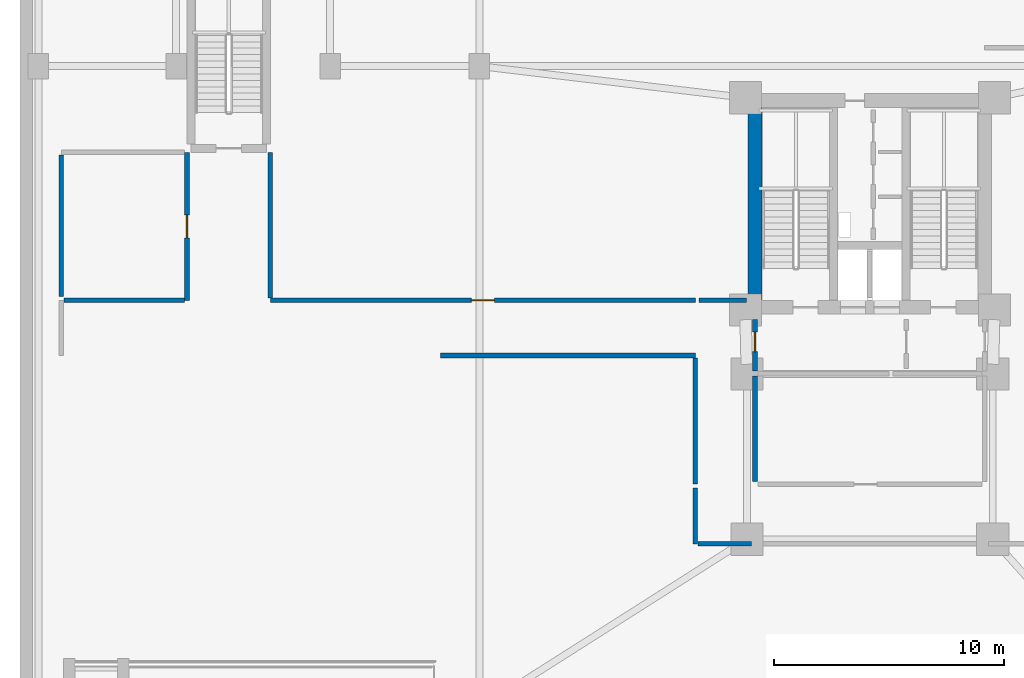
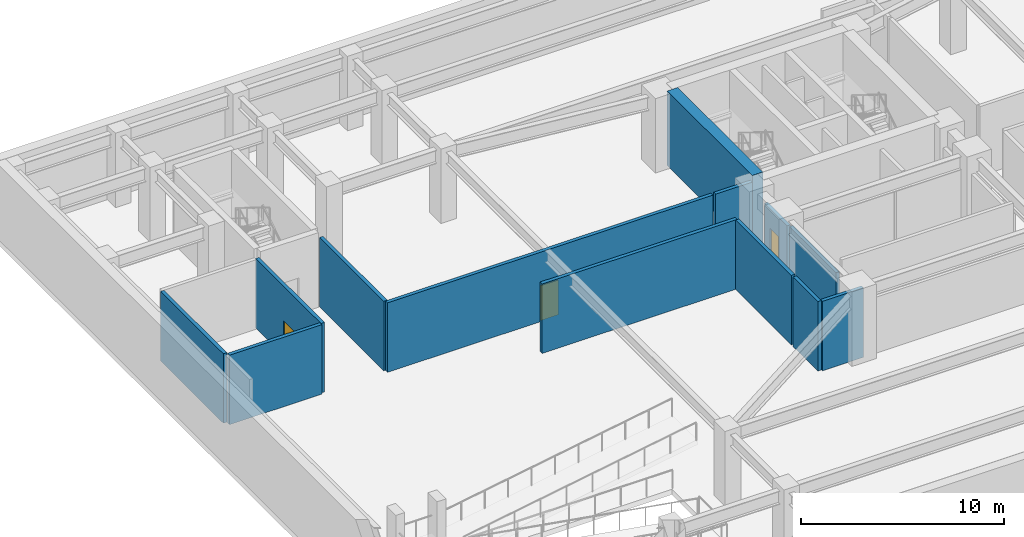
# One storey, part 3 of 8: 13 walls, 3 doors, 3 openings.
"""IFC4 building model written with IfcOpenShell, lengths in metres."""

from ifc_helpers import new_model, si_unit, direction, frame, frame_2d, origin, place, context, subcontext, project, spatial, rectangle, extrude, material, layer, layer_set, type_object, element, fill, save


model = new_model("IFC4")

# Units and contexts
model_context = context("Model", 3, precision=1e-05, world=origin(), true_north=direction((0.0, 1.0)))
body_context = subcontext(model_context, "Body", "Model", "MODEL_VIEW")
ifc_project = project(units=[si_unit("LENGTHUNIT", "METRE"), si_unit("AREAUNIT", "SQUARE_METRE"), si_unit("VOLUMEUNIT", "CUBIC_METRE"), si_unit("PLANEANGLEUNIT", "RADIAN"), si_unit("MASSUNIT", "GRAM", prefix="KILO")], contexts=[model_context])

# Site, building, storey
site_placement = place(None, origin())
site = spatial("IfcSite", under=ifc_project, at=site_placement, CompositionType="ELEMENT")
building_placement = place(site_placement, origin())
building = spatial("IfcBuilding", under=site, at=building_placement, Name="Varnakorn Sky Granary", CompositionType="ELEMENT")
storey_placement = place(building_placement, frame((0.0, 0.0, -4.5)))
storey = spatial("IfcBuildingStorey", under=building, at=storey_placement, Name="B01", CompositionType="ELEMENT", Elevation=-4.5)

# Wall
ifc_material_1 = material(Name="Concrete C60/75", Category="concrete")
ifc_layer_1 = layer(ifc_material_1, 0.60009765625, Name="Concrete C60/75")
ifc_layer_set_1 = layer_set([ifc_layer_1], Name="Concrete C60/75")
wall_type_1 = type_object("IfcWallType", Name="WT-CW-SHEAR-600", PredefinedType="SHEAR", material=ifc_layer_set_1)
wall_1_placement = place(storey_placement, frame((-2.0, 3.81005859375, 0.0), z_axis=(0.0, 0.0, 1.0), x_axis=(0.0, 1.0, 0.0)))
element("IfcWall", 1, at=wall_1_placement, inside=storey, type_object=wall_type_1, Name="Core West Shear Wall B01", PredefinedType="SHEAR", context=body_context, shape_type="SweptSolid", body=[
    extrude(rectangle(XDim=8.3798828125, YDim=0.60009765625, at=frame_2d((4.18994140625, 0.0))), origin(), (0.0, 0.0, 1.0), 4.491943359375),
])

# Wall, opening, door
ifc_material_2 = material(Name="Autoclaved Aerated Concrete Blockwork", Category="masonry")
ifc_layer_2 = layer(ifc_material_2, 0.199951171875, Name="Autoclaved Aerated Concrete Blockwork")
ifc_layer_set_2 = layer_set([ifc_layer_2], Name="Autoclaved Aerated Concrete Blockwork")
wall_type_2 = type_object("IfcWallType", Name="WT-FIRE-200", PredefinedType="MOVABLE", material=ifc_layer_set_2)
wall_2_placement = place(storey_placement, frame((-2.0, 0.719970703125, 0.0), z_axis=(0.0, 0.0, 1.0), x_axis=(0.0, 1.0, 0.0)))
wall_2 = element("IfcWall", 2, at=wall_2_placement, inside=storey, type_object=wall_type_2, Name="Interior Partition Wall B01-005", PredefinedType="MOVABLE", context=body_context, shape_type="SweptSolid", body=[
    extrude(rectangle(XDim=2.25, YDim=0.199951171875, at=frame_2d((1.125, 0.0))), origin(), (0.0, 0.0, 1.0), 3.261962890625),
])
opening_1_placement = place(wall_2_placement, frame((0.844970703125, 0.0, 0.0)))
opening_1 = element("IfcOpeningElement", 3, at=opening_1_placement, cuts=wall_2, Name="Opening FD-60N", PredefinedType="OPENING", context=body_context, shape_type="SweptSolid", body=[
    extrude(rectangle(XDim=0.85009765625, YDim=2.10009765625, at=frame_2d((0.425048828125, 1.050048828125))), frame((0.0, 0.10986328125, 0.0), z_axis=(0.0, -1.0, 0.0), x_axis=(1.0, 0.0, 0.0)), (0.0, 0.0, 1.0), 0.219970703125),
])
ifc_material_3 = material(Name="Acoustic Timber Fire Leaf", Category="wood")
door_type_1 = type_object("IfcDoorType", Name="DR-FD60-850", OperationType="NOTDEFINED", PredefinedType="DOOR", material=ifc_material_3)
door_1_placement = place(opening_1_placement, origin())
door_1 = element("IfcDoor", 4, at=door_1_placement, inside=storey, type_object=door_type_1, Name="Interior Door B01-005-1", OperationType="SINGLE_SWING_RIGHT", OverallHeight=2.10009765625, OverallWidth=0.85009765625, PredefinedType="DOOR", context=body_context, shape_type="SweptSolid", body=[
    extrude(rectangle(XDim=0.85009765625, YDim=2.10009765625, at=frame_2d((0.425048828125, 1.050048828125))), frame((0.0, 0.02490234375, 0.0), z_axis=(0.0, -1.0, 0.0), x_axis=(1.0, 0.0, 0.0)), (0.0, 0.0, 1.0), 0.050048828125),
])
fill(opening_1, door_1)

wall_3_placement = place(storey_placement, frame((-4.60009765625, 3.800048828125, 0.0), z_axis=(0.0, 0.0, 1.0), x_axis=(-1.0, 0.0, 0.0)))
wall_3 = element("IfcWall", 5, at=wall_3_placement, inside=storey, type_object=wall_type_2, Name="Interior Partition Wall B01-009", PredefinedType="MOVABLE", context=body_context, shape_type="SweptSolid", body=[
    extrude(rectangle(XDim=18.5, YDim=0.199951171875, at=frame_2d((9.25, 0.0))), origin(), (0.0, 0.0, 1.0), 4.179931640625),
])
opening_2_placement = place(wall_3_placement, frame((8.75, 0.0, 0.0)))
opening_2 = element("IfcOpeningElement", 6, at=opening_2_placement, cuts=wall_3, Name="Opening FD-60", PredefinedType="OPENING", context=body_context, shape_type="SweptSolid", body=[
    extrude(rectangle(XDim=1.0, YDim=2.10009765625, at=frame_2d((0.5, 1.050048828125))), frame((0.0, 0.10986328125, 0.0), z_axis=(0.0, -1.0, 0.0), x_axis=(1.0, 0.0, 0.0)), (0.0, 0.0, 1.0), 0.219970703125),
])
door_type_2 = type_object("IfcDoorType", Name="DR-FD60-1000", OperationType="NOTDEFINED", PredefinedType="DOOR", material=ifc_material_3)
door_2_placement = place(opening_2_placement, origin())
door_2 = element("IfcDoor", 7, at=door_2_placement, inside=storey, type_object=door_type_2, Name="Interior Door B01-009-1", OperationType="SINGLE_SWING_RIGHT", OverallHeight=2.10009765625, OverallWidth=1.0, PredefinedType="DOOR", context=body_context, shape_type="SweptSolid", body=[
    extrude(rectangle(XDim=1.0, YDim=2.10009765625, at=frame_2d((0.5, 1.050048828125))), frame((0.0, 0.02490234375, 0.0), z_axis=(0.0, -1.0, 0.0), x_axis=(1.0, 0.0, 0.0)), (0.0, 0.0, 1.0), 0.050048828125),
])
fill(opening_2, door_2)

wall_4_placement = place(storey_placement, frame((-26.72998046875, 10.25, 0.0), z_axis=(0.0, 0.0, 1.0), x_axis=(0.0, -1.0, 0.0)))
wall_4 = element("IfcWall", 8, at=wall_4_placement, inside=storey, type_object=wall_type_2, Name="Interior Partition Wall B01-012", PredefinedType="MOVABLE", context=body_context, shape_type="SweptSolid", body=[
    extrude(rectangle(XDim=6.449951171875, YDim=0.199951171875, at=frame_2d((3.22509765625, 0.0))), origin(), (0.0, 0.0, 1.0), 4.179931640625),
])
opening_3_placement = place(wall_4_placement, frame((2.72509765625, 0.0, 0.0)))
opening_3 = element("IfcOpeningElement", 9, at=opening_3_placement, cuts=wall_4, Name="Opening FD-60", PredefinedType="OPENING", context=body_context, shape_type="SweptSolid", body=[
    extrude(rectangle(XDim=1.0, YDim=2.10009765625, at=frame_2d((0.5, 1.050048828125))), frame((0.0, 0.10986328125, 0.0), z_axis=(0.0, -1.0, 0.0), x_axis=(1.0, 0.0, 0.0)), (0.0, 0.0, 1.0), 0.219970703125),
])
door_3_placement = place(opening_3_placement, origin())
door_3 = element("IfcDoor", 10, at=door_3_placement, inside=storey, type_object=door_type_2, Name="Interior Door B01-012-1", OperationType="SINGLE_SWING_LEFT", OverallHeight=2.10009765625, OverallWidth=1.0, PredefinedType="DOOR", context=body_context, shape_type="SweptSolid", body=[
    extrude(rectangle(XDim=1.0, YDim=2.10009765625, at=frame_2d((0.5, 1.050048828125))), frame((0.0, 0.02490234375, 0.0), z_axis=(0.0, -1.0, 0.0), x_axis=(1.0, 0.0, 0.0)), (0.0, 0.0, 1.0), 0.050048828125),
])
fill(opening_3, door_3)

# Walls
wall_5_placement = place(storey_placement, frame((-2.0, -4.090087890625, 0.0), z_axis=(0.0, 0.0, 1.0), x_axis=(0.0, 1.0, 0.0)))
element("IfcWall", 11, at=wall_5_placement, inside=storey, type_object=wall_type_2, Name="Interior Partition Wall B01-016", PredefinedType="MOVABLE", context=body_context, shape_type="SweptSolid", body=[
    extrude(rectangle(XDim=4.590087890625, YDim=0.199951171875, at=frame_2d((2.294921875, 0.0))), origin(), (0.0, 0.0, 1.0), 3.362060546875),
])
wall_6_placement = place(storey_placement, frame((-15.699951171875, 1.39990234375, 0.0), z_axis=(0.0, 0.0, 1.0), x_axis=(1.0, 0.0, 0.0)))
element("IfcWall", 12, at=wall_6_placement, inside=storey, type_object=wall_type_2, Name="Interior Partition Wall B01-018", PredefinedType="MOVABLE", context=body_context, shape_type="SweptSolid", body=[
    extrude(rectangle(XDim=11.099853515625, YDim=0.199951171875, at=frame_2d((5.5498046875, 0.0))), origin(), (0.0, 0.0, 1.0), 4.179931640625),
])
wall_7_placement = place(storey_placement, frame((-4.60009765625, 1.2900390625, 0.0), z_axis=(0.0, 0.0, 1.0), x_axis=(0.0, -1.0, 0.0)))
element("IfcWall", 13, at=wall_7_placement, inside=storey, type_object=wall_type_2, Name="Interior Partition Wall B01-020", PredefinedType="MOVABLE", context=body_context, shape_type="SweptSolid", body=[
    extrude(rectangle(XDim=5.489990234375, YDim=0.199951171875, at=frame_2d((2.7451171875, 0.0))), origin(), (0.0, 0.0, 1.0), 4.179931640625),
])
wall_8_placement = place(storey_placement, frame((-4.60009765625, -4.360107421875, 0.0), z_axis=(0.0, 0.0, 1.0), x_axis=(0.0, -1.0, 0.0)))
element("IfcWall", 14, at=wall_8_placement, inside=storey, type_object=wall_type_2, Name="Interior Partition Wall B01-022", PredefinedType="MOVABLE", context=body_context, shape_type="SweptSolid", body=[
    extrude(rectangle(XDim=2.43994140625, YDim=0.199951171875, at=frame_2d((1.219970703125, 0.0))), origin(), (0.0, 0.0, 1.0), 4.179931640625),
])
wall_9_placement = place(storey_placement, frame((-4.489990234375, -6.800048828125, 0.0), z_axis=(0.0, 0.0, 1.0), x_axis=(1.0, 0.0, 0.0)))
element("IfcWall", 15, at=wall_9_placement, inside=storey, type_object=wall_type_2, Name="Interior Partition Wall B01-023", PredefinedType="MOVABLE", context=body_context, shape_type="SweptSolid", body=[
    extrude(rectangle(XDim=2.330078125, YDim=0.199951171875, at=frame_2d((1.1650390625, 0.0))), origin(), (0.0, 0.0, 1.0), 4.179931640625),
])
wall_10_placement = place(storey_placement, frame((-23.10009765625, 3.909912109375, 0.0), z_axis=(0.0, 0.0, 1.0), x_axis=(0.0, 1.0, 0.0)))
element("IfcWall", 16, at=wall_10_placement, inside=storey, type_object=wall_type_2, Name="Interior Partition Wall B01-026", PredefinedType="MOVABLE", context=body_context, shape_type="SweptSolid", body=[
    extrude(rectangle(XDim=6.340087890625, YDim=0.199951171875, at=frame_2d((3.169921875, 0.0))), origin(), (0.0, 0.0, 1.0), 4.179931640625),
])
wall_11_placement = place(storey_placement, frame((-2.360107421875, 3.800048828125, 0.0), z_axis=(0.0, 0.0, 1.0), x_axis=(-1.0, 0.0, 0.0)))
element("IfcWall", 17, at=wall_11_placement, inside=storey, type_object=wall_type_2, Name="Interior Partition Wall B01-027", PredefinedType="MOVABLE", context=body_context, shape_type="SweptSolid", body=[
    extrude(rectangle(XDim=2.079833984375, YDim=0.199951171875, at=frame_2d((1.0400390625, 0.0))), origin(), (0.0, 0.0, 1.0), 4.179931640625),
])
wall_12_placement = place(storey_placement, frame((-26.840087890625, 3.800048828125, 0.0), z_axis=(0.0, 0.0, 1.0), x_axis=(-1.0, 0.0, 0.0)))
element("IfcWall", 18, at=wall_12_placement, inside=storey, type_object=wall_type_2, Name="Interior Partition Wall B01-033", PredefinedType="MOVABLE", context=body_context, shape_type="SweptSolid", body=[
    extrude(rectangle(XDim=5.25, YDim=0.199951171875, at=frame_2d((2.625, 0.0))), origin(), (0.0, 0.0, 1.0), 4.179931640625),
])
wall_13_placement = place(storey_placement, frame((-32.199951171875, 10.139892578125, 0.0), z_axis=(0.0, 0.0, 1.0), x_axis=(0.0, -1.0, 0.0)))
element("IfcWall", 19, at=wall_13_placement, inside=storey, type_object=wall_type_2, Name="Interior Partition Wall B01-036", PredefinedType="MOVABLE", context=body_context, shape_type="SweptSolid", body=[
    extrude(rectangle(XDim=6.179931640625, YDim=0.199951171875, at=frame_2d((3.08984375, 0.0))), origin(), (0.0, 0.0, 1.0), 4.179931640625),
])

save(model, "model.ifc")
